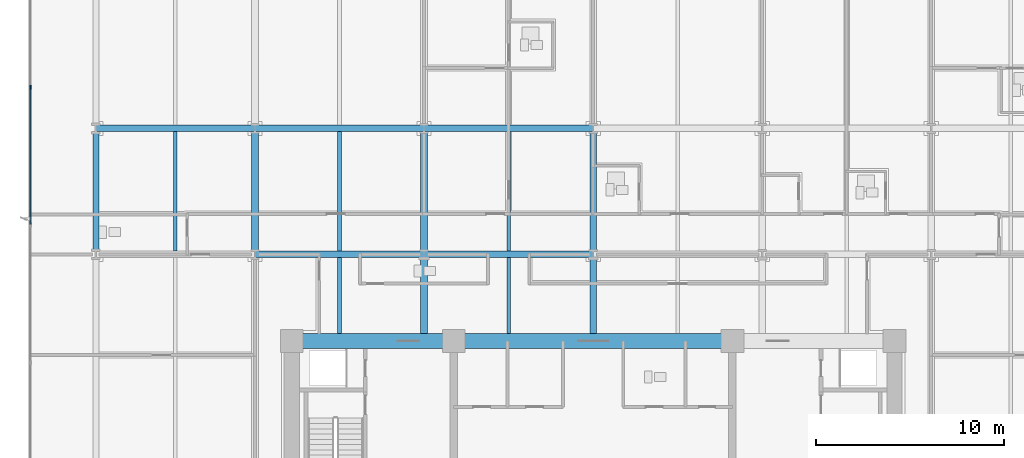
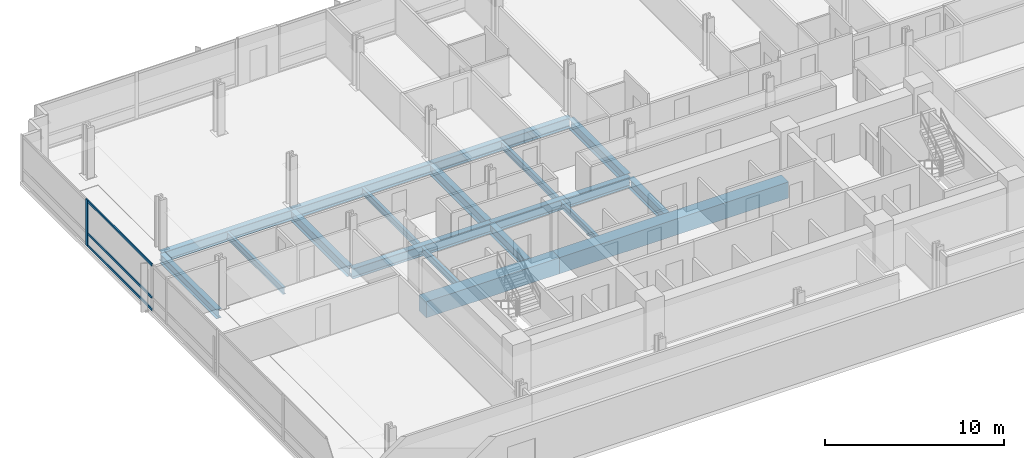
# One storey, part 3 of 18: 18 beams, 4 members, 1 element without a shape of its own.
"""IFC4 building model written with IfcOpenShell, lengths in metres."""

from ifc_helpers import new_model, si_unit, direction, frame, origin, origin_2d, place, context, subcontext, project, spatial, rectangle, i_section, extrude, material, material_profile, profile_set, type_object, element, aggregate, save


model = new_model("IFC4")

# Units and contexts
model_context = context("Model", 3, precision=1e-05, world=origin(), true_north=direction((0.0, 1.0)))
body_context = subcontext(model_context, "Body", "Model", "MODEL_VIEW")
ifc_project = project(units=[si_unit("LENGTHUNIT", "METRE"), si_unit("AREAUNIT", "SQUARE_METRE"), si_unit("VOLUMEUNIT", "CUBIC_METRE"), si_unit("PLANEANGLEUNIT", "RADIAN"), si_unit("MASSUNIT", "GRAM", prefix="KILO")], contexts=[model_context])

# Site, building, storey
site_placement = place(None, origin())
site = spatial("IfcSite", under=ifc_project, at=site_placement, CompositionType="ELEMENT")
building_placement = place(site_placement, origin())
building = spatial("IfcBuilding", under=site, at=building_placement, Name="Solmavex Isthmus Hotel", CompositionType="ELEMENT")
storey_placement = place(building_placement, frame((0.0, 0.0, 43.64990234375)))
storey = spatial("IfcBuildingStorey", under=building, at=storey_placement, Name="L11", CompositionType="ELEMENT", Elevation=43.64990234375)

# Beams
ifc_material_1 = material(Name="Steel ASTM A992 Grade 50", Category="steel")
ifc_material_profile_1 = material_profile(ifc_material_1, i_section(OverallWidth=0.354736328125, OverallDepth=0.695556640625, WebThickness=0.015380859375, FlangeThickness=0.02490234375, FilletRadius=0.017822265625, at=origin_2d()), Name="W27X146")
ifc_profile_set_1 = profile_set([ifc_material_profile_1], Name="Steel ASTM A992 Grade 50")
beam_type_1 = type_object("IfcBeamType", Name="BM-BG-W27X146", PredefinedType="BEAM", material=ifc_profile_set_1)
beam_1_placement = place(storey_placement, frame((-17.951904296875, 2.10009765625, -0.607666015625), z_axis=(1.0, 0.0, 0.0), x_axis=(0.0, 1.0, 0.0)))
element("IfcBeam", 1, at=beam_1_placement, inside=storey, type_object=beam_type_1, Name="Floor Girder L11-UG08", PredefinedType="BEAM", context=body_context, shape_type="SweptSolid", body=[
    extrude(i_section(OverallWidth=0.354736328125, OverallDepth=0.695556640625, WebThickness=0.015380859375, FlangeThickness=0.02490234375, FilletRadius=0.017822265625, at=origin_2d()), origin(), (0.0, 0.0, 1.0), 8.975830078125),
])
beam_2_placement = place(storey_placement, frame((-8.97607421875, 2.10009765625, -0.607666015625), z_axis=(1.0, 0.0, 0.0), x_axis=(0.0, 1.0, 0.0)))
element("IfcBeam", 2, at=beam_2_placement, inside=storey, type_object=beam_type_1, Name="Floor Girder L11-UG09", PredefinedType="BEAM", context=body_context, shape_type="SweptSolid", body=[
    extrude(i_section(OverallWidth=0.354736328125, OverallDepth=0.695556640625, WebThickness=0.015380859375, FlangeThickness=0.02490234375, FilletRadius=0.017822265625, at=origin_2d()), origin(), (0.0, 0.0, 1.0), 8.97607421875),
])
beam_3_placement = place(storey_placement, frame((-26.39990234375, 8.7880859375, -0.607666015625), z_axis=(1.0, 0.0, 0.0), x_axis=(0.0, 1.0, 0.0)))
element("IfcBeam", 3, at=beam_3_placement, inside=storey, type_object=beam_type_1, Name="Floor Girder L11-UG13", PredefinedType="BEAM", context=body_context, shape_type="SweptSolid", body=[
    extrude(i_section(OverallWidth=0.354736328125, OverallDepth=0.695556640625, WebThickness=0.015380859375, FlangeThickness=0.02490234375, FilletRadius=0.017822265625, at=origin_2d()), origin(), (0.0, 0.0, 1.0), 8.447998046875),
])
beam_4_placement = place(storey_placement, frame((-17.951904296875, 8.7880859375, -0.607666015625), z_axis=(1.0, 0.0, 0.0), x_axis=(0.0, 1.0, 0.0)))
element("IfcBeam", 4, at=beam_4_placement, inside=storey, type_object=beam_type_1, Name="Floor Girder L11-UG14", PredefinedType="BEAM", context=body_context, shape_type="SweptSolid", body=[
    extrude(i_section(OverallWidth=0.354736328125, OverallDepth=0.695556640625, WebThickness=0.015380859375, FlangeThickness=0.02490234375, FilletRadius=0.017822265625, at=origin_2d()), origin(), (0.0, 0.0, 1.0), 8.975830078125),
])
beam_5_placement = place(storey_placement, frame((-8.97607421875, 8.7880859375, -0.607666015625), z_axis=(1.0, 0.0, 0.0), x_axis=(0.0, 1.0, 0.0)))
element("IfcBeam", 5, at=beam_5_placement, inside=storey, type_object=beam_type_1, Name="Floor Girder L11-UG15", PredefinedType="BEAM", context=body_context, shape_type="SweptSolid", body=[
    extrude(i_section(OverallWidth=0.354736328125, OverallDepth=0.695556640625, WebThickness=0.015380859375, FlangeThickness=0.02490234375, FilletRadius=0.017822265625, at=origin_2d()), origin(), (0.0, 0.0, 1.0), 8.97607421875),
])
beam_6_placement = place(storey_placement, frame((-17.951904296875, 2.27734375, -0.607666015625), z_axis=(0.0, 1.0, 0.0), x_axis=(-1.0, 0.0, 0.0)))
element("IfcBeam", 6, at=beam_6_placement, inside=storey, type_object=beam_type_1, Name="Floor Beam L11-VG29", PredefinedType="BEAM", context=body_context, shape_type="SweptSolid", body=[
    extrude(i_section(OverallWidth=0.354736328125, OverallDepth=0.695556640625, WebThickness=0.015380859375, FlangeThickness=0.02490234375, FilletRadius=0.017822265625, at=origin_2d()), origin(), (0.0, 0.0, 1.0), 6.333251953125),
])
beam_7_placement = place(storey_placement, frame((-8.97607421875, -2.10009765625, -0.607666015625), z_axis=(0.0, 1.0, 0.0), x_axis=(-1.0, 0.0, 0.0)))
element("IfcBeam", 7, at=beam_7_placement, inside=storey, type_object=beam_type_1, Name="Floor Beam L11-VG32", PredefinedType="BEAM", context=body_context, shape_type="SweptSolid", body=[
    extrude(i_section(OverallWidth=0.354736328125, OverallDepth=0.695556640625, WebThickness=0.015380859375, FlangeThickness=0.02490234375, FilletRadius=0.017822265625, at=origin_2d()), origin(), (0.0, 0.0, 1.0), 4.022705078125),
])
beam_8_placement = place(storey_placement, frame((-8.97607421875, 2.27734375, -0.607666015625), z_axis=(0.0, 1.0, 0.0), x_axis=(-1.0, 0.0, 0.0)))
element("IfcBeam", 8, at=beam_8_placement, inside=storey, type_object=beam_type_1, Name="Floor Beam L11-VG33", PredefinedType="BEAM", context=body_context, shape_type="SweptSolid", body=[
    extrude(i_section(OverallWidth=0.354736328125, OverallDepth=0.695556640625, WebThickness=0.015380859375, FlangeThickness=0.02490234375, FilletRadius=0.017822265625, at=origin_2d()), origin(), (0.0, 0.0, 1.0), 6.333251953125),
])
beam_9_placement = place(storey_placement, frame((0.0, -2.10009765625, -0.607666015625), z_axis=(0.0, 1.0, 0.0), x_axis=(-1.0, 0.0, 0.0)))
element("IfcBeam", 9, at=beam_9_placement, inside=storey, type_object=beam_type_1, Name="Floor Beam L11-VG36", PredefinedType="BEAM", context=body_context, shape_type="SweptSolid", body=[
    extrude(i_section(OverallWidth=0.354736328125, OverallDepth=0.695556640625, WebThickness=0.015380859375, FlangeThickness=0.02490234375, FilletRadius=0.017822265625, at=origin_2d()), origin(), (0.0, 0.0, 1.0), 4.022705078125),
])
beam_10_placement = place(storey_placement, frame((0.0, 2.27734375, -0.607666015625), z_axis=(0.0, 1.0, 0.0), x_axis=(-1.0, 0.0, 0.0)))
element("IfcBeam", 10, at=beam_10_placement, inside=storey, type_object=beam_type_1, Name="Floor Beam L11-VG37", PredefinedType="BEAM", context=body_context, shape_type="SweptSolid", body=[
    extrude(i_section(OverallWidth=0.354736328125, OverallDepth=0.695556640625, WebThickness=0.015380859375, FlangeThickness=0.02490234375, FilletRadius=0.017822265625, at=origin_2d()), origin(), (0.0, 0.0, 1.0), 6.333251953125),
])
ifc_material_profile_2 = material_profile(ifc_material_1, i_section(OverallWidth=0.1904296875, OverallDepth=0.456787109375, WebThickness=0.009033203125, FlangeThickness=0.014404296875, FilletRadius=0.0126953125, at=origin_2d()), Name="W18X50")
ifc_profile_set_2 = profile_set([ifc_material_profile_2], Name="Steel ASTM A992 Grade 50")
beam_type_2 = type_object("IfcBeamType", Name="BM-BJ-W18X50", PredefinedType="JOIST", material=ifc_profile_set_2)
beam_11_placement = place(storey_placement, frame((-22.176025390625, 2.27734375, -0.48828125), z_axis=(0.0, 1.0, 0.0), x_axis=(-1.0, 0.0, 0.0)))
element("IfcBeam", 11, at=beam_11_placement, inside=storey, type_object=beam_type_2, Name="Secondary Floor Joist L11-J02", PredefinedType="JOIST", context=body_context, shape_type="SweptSolid", body=[
    extrude(i_section(OverallWidth=0.1904296875, OverallDepth=0.456787109375, WebThickness=0.009033203125, FlangeThickness=0.014404296875, FilletRadius=0.0126953125, at=origin_2d()), origin(), (0.0, 0.0, 1.0), 6.333251953125),
])
beam_12_placement = place(storey_placement, frame((-13.464111328125, -2.10009765625, -0.48828125), z_axis=(0.0, 1.0, 0.0), x_axis=(-1.0, 0.0, 0.0)))
element("IfcBeam", 12, at=beam_12_placement, inside=storey, type_object=beam_type_2, Name="Secondary Floor Joist L11-J05", PredefinedType="JOIST", context=body_context, shape_type="SweptSolid", body=[
    extrude(i_section(OverallWidth=0.1904296875, OverallDepth=0.456787109375, WebThickness=0.009033203125, FlangeThickness=0.014404296875, FilletRadius=0.0126953125, at=origin_2d()), origin(), (0.0, 0.0, 1.0), 4.022705078125),
])
beam_13_placement = place(storey_placement, frame((-13.464111328125, 2.27734375, -0.48828125), z_axis=(0.0, 1.0, 0.0), x_axis=(-1.0, 0.0, 0.0)))
element("IfcBeam", 13, at=beam_13_placement, inside=storey, type_object=beam_type_2, Name="Secondary Floor Joist L11-J06", PredefinedType="JOIST", context=body_context, shape_type="SweptSolid", body=[
    extrude(i_section(OverallWidth=0.1904296875, OverallDepth=0.456787109375, WebThickness=0.009033203125, FlangeThickness=0.014404296875, FilletRadius=0.0126953125, at=origin_2d()), origin(), (0.0, 0.0, 1.0), 6.333251953125),
])
beam_14_placement = place(storey_placement, frame((-4.488037109375, -2.10009765625, -0.48828125), z_axis=(0.0, 1.0, 0.0), x_axis=(-1.0, 0.0, 0.0)))
element("IfcBeam", 14, at=beam_14_placement, inside=storey, type_object=beam_type_2, Name="Secondary Floor Joist L11-J09", PredefinedType="JOIST", context=body_context, shape_type="SweptSolid", body=[
    extrude(i_section(OverallWidth=0.1904296875, OverallDepth=0.456787109375, WebThickness=0.009033203125, FlangeThickness=0.014404296875, FilletRadius=0.0126953125, at=origin_2d()), origin(), (0.0, 0.0, 1.0), 4.022705078125),
])
beam_15_placement = place(storey_placement, frame((-4.488037109375, 2.27734375, -0.48828125), z_axis=(0.0, 1.0, 0.0), x_axis=(-1.0, 0.0, 0.0)))
element("IfcBeam", 15, at=beam_15_placement, inside=storey, type_object=beam_type_2, Name="Secondary Floor Joist L11-J10", PredefinedType="JOIST", context=body_context, shape_type="SweptSolid", body=[
    extrude(i_section(OverallWidth=0.1904296875, OverallDepth=0.456787109375, WebThickness=0.009033203125, FlangeThickness=0.014404296875, FilletRadius=0.0126953125, at=origin_2d()), origin(), (0.0, 0.0, 1.0), 6.333251953125),
])
ifc_material_2 = material(Name="Concrete C70/85", Category="concrete")
ifc_material_profile_3 = material_profile(ifc_material_2, rectangle(XDim=0.800048828125, YDim=1.10009765625, at=origin_2d()), Name="RC800X1100")
ifc_profile_set_3 = profile_set([ifc_material_profile_3], Name="Concrete C70/85")
beam_type_3 = type_object("IfcBeamType", Name="BM-CB-800X1100", PredefinedType="BEAM", material=ifc_profile_set_3)
beam_16_placement = place(storey_placement, frame((-16.0, -2.5, -0.809814453125), z_axis=(1.0, 0.0, 0.0), x_axis=(0.0, 1.0, 0.0)))
element("IfcBeam", 16, at=beam_16_placement, inside=storey, type_object=beam_type_3, Name="Core Coupling Beam L11-CB4", PredefinedType="BEAM", context=body_context, shape_type="SweptSolid", body=[
    extrude(rectangle(XDim=0.800048828125, YDim=1.10009765625, at=origin_2d()), origin(), (0.0, 0.0, 1.0), 8.60009765625),
])
beam_17_placement = place(storey_placement, frame((-7.39990234375, -2.5, -0.809814453125), z_axis=(1.0, 0.0, 0.0), x_axis=(0.0, 1.0, 0.0)))
element("IfcBeam", 17, at=beam_17_placement, inside=storey, type_object=beam_type_3, Name="Core Coupling Beam L11-CB5", PredefinedType="BEAM", context=body_context, shape_type="SweptSolid", body=[
    extrude(rectangle(XDim=0.800048828125, YDim=1.10009765625, at=origin_2d()), origin(), (0.0, 0.0, 1.0), 14.7998046875),
])
ifc_material_profile_4 = material_profile(ifc_material_1, i_section(OverallWidth=0.326416015625, OverallDepth=0.621826171875, WebThickness=0.015380859375, FlangeThickness=0.0244140625, FilletRadius=0.01513671875, at=origin_2d()), Name="W24X131")
ifc_profile_set_4 = profile_set([ifc_material_profile_4], Name="Steel ASTM A992 Grade 50")
beam_type_4 = type_object("IfcBeamType", Name="BM-SP-W24X131", PredefinedType="SPANDREL", material=ifc_profile_set_4)
beam_18_placement = place(storey_placement, frame((-26.39990234375, 2.27734375, -0.57080078125), z_axis=(0.0, 1.0, 0.0), x_axis=(-1.0, 0.0, 0.0)))
element("IfcBeam", 18, at=beam_18_placement, inside=storey, type_object=beam_type_4, Name="Floor Beam L11-VG26", PredefinedType="SPANDREL", context=body_context, shape_type="SweptSolid", body=[
    extrude(i_section(OverallWidth=0.326416015625, OverallDepth=0.621826171875, WebThickness=0.015380859375, FlangeThickness=0.0244140625, FilletRadius=0.01513671875, at=origin_2d()), origin(), (0.0, 0.0, 1.0), 6.333251953125),
])

# Curtain wall, members
ifc_material_3 = material(Name="Aluminium alloy 6063-T6", Category="aluminium")
curtain_wall_type = type_object("IfcCurtainWallType", Name="CW-SYS-02", PredefinedType="NOTDEFINED", material=ifc_material_3)
curtain_wall_placement = place(storey_placement, origin())
curtain_wall = element("IfcCurtainWall", 19, at=curtain_wall_placement, inside=storey, type_object=curtain_wall_type, Name="Stick Curtain Wall CWL-L11-W1", PredefinedType="NOTDEFINED")
ifc_material_profile_5 = material_profile(ifc_material_3, rectangle(XDim=0.074951171875, YDim=0.219970703125, at=origin_2d()), Name="CWM-75X220")
ifc_profile_set_5 = profile_set([ifc_material_profile_5], Name="Aluminium alloy 6063-T6")
member_type_1 = type_object("IfcMemberType", Name="CW-SYS-02-MUL", PredefinedType="MULLION", material=ifc_profile_set_5)
member_1_placement = place(storey_placement, frame((-29.8798828125, 10.97998046875, 0.0), z_axis=(0.0, 0.0, 1.0), x_axis=(-1.0, 0.0, 0.0)))
member_1 = element("IfcMember", 20, at=member_1_placement, type_object=member_type_1, Name="CW-02 mullion 5", PredefinedType="MULLION", context=body_context, shape_type="SweptSolid", body=[
    extrude(rectangle(XDim=0.074951171875, YDim=0.219970703125, at=origin_2d()), origin(), (0.0, 0.0, 1.0), 3.190185546875),
])
ifc_material_profile_6 = material_profile(ifc_material_3, rectangle(XDim=0.074951171875, YDim=0.159912109375, at=origin_2d()), Name="CWT-75X160")
ifc_profile_set_6 = profile_set([ifc_material_profile_6], Name="Aluminium alloy 6063-T6")
member_type_2 = type_object("IfcMemberType", Name="CW-SYS-02-TRN", PredefinedType="USERDEFINED", material=ifc_profile_set_6)
member_2_placement = place(storey_placement, frame((-29.8798828125, 3.697509765625, 0.080078125), z_axis=(0.0, 1.0, 0.0), x_axis=(-1.0, 0.0, 0.0)))
member_2 = element("IfcMember", 21, at=member_2_placement, type_object=member_type_2, Name="CW-02 transom 4.1", ObjectType="TRANSOM", PredefinedType="USERDEFINED", context=body_context, shape_type="SweptSolid", body=[
    extrude(rectangle(XDim=0.074951171875, YDim=0.159912109375, at=origin_2d()), origin(), (0.0, 0.0, 1.0), 7.244873046875),
])
member_3_placement = place(storey_placement, frame((-29.8798828125, 3.697509765625, 0.900146484375), z_axis=(0.0, 1.0, 0.0), x_axis=(-1.0, 0.0, 0.0)))
member_3 = element("IfcMember", 22, at=member_3_placement, type_object=member_type_2, Name="CW-02 transom 4.2", ObjectType="TRANSOM", PredefinedType="USERDEFINED", context=body_context, shape_type="SweptSolid", body=[
    extrude(rectangle(XDim=0.074951171875, YDim=0.159912109375, at=origin_2d()), origin(), (0.0, 0.0, 1.0), 7.244873046875),
])
member_4_placement = place(storey_placement, frame((-29.8798828125, 3.697509765625, 3.110107421875), z_axis=(0.0, 1.0, 0.0), x_axis=(-1.0, 0.0, 0.0)))
member_4 = element("IfcMember", 23, at=member_4_placement, type_object=member_type_2, Name="CW-02 transom 4.3", ObjectType="TRANSOM", PredefinedType="USERDEFINED", context=body_context, shape_type="SweptSolid", body=[
    extrude(rectangle(XDim=0.074951171875, YDim=0.159912109375, at=origin_2d()), origin(), (0.0, 0.0, 1.0), 7.244873046875),
])
aggregate(curtain_wall, [member_1, member_2, member_3, member_4])

save(model, "model.ifc")
